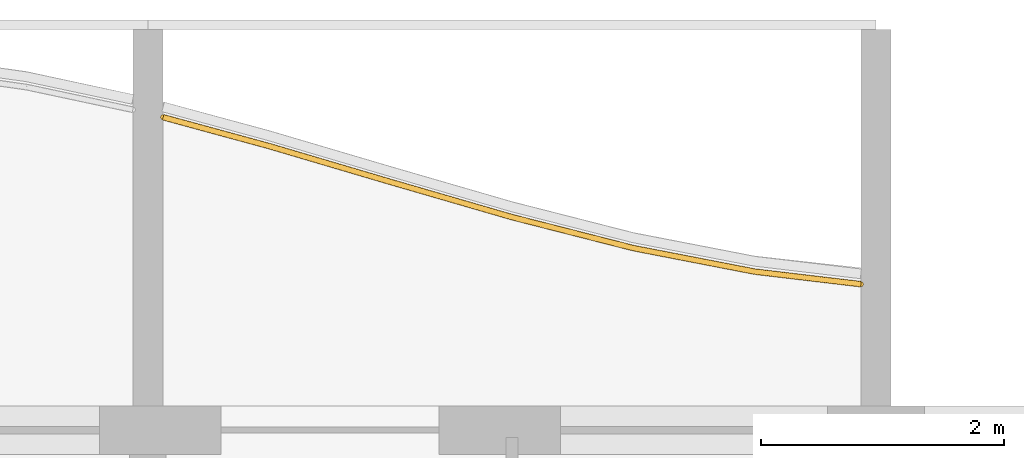
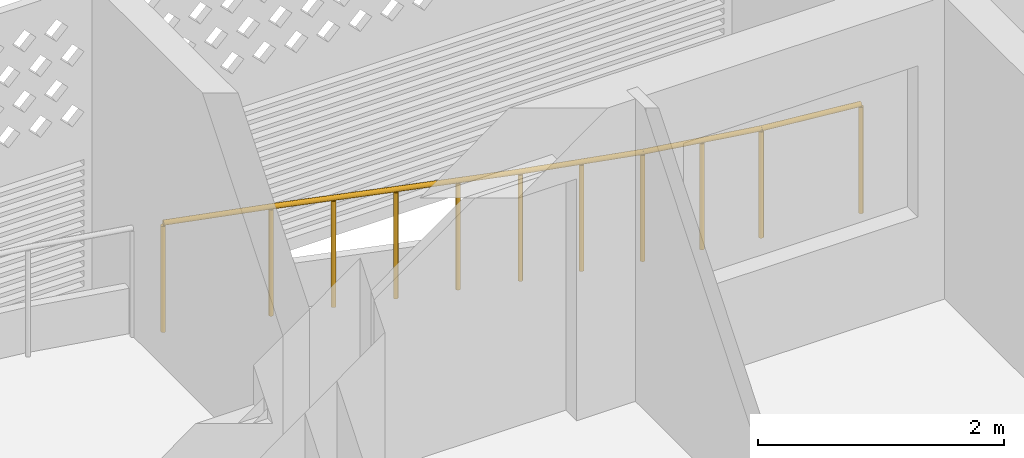
# One storey, part 25 of 32: 1 railing.
"""IFC4 building model written with IfcOpenShell, lengths in metres."""

from ifc_helpers import new_model, si_unit, direction, frame, origin, origin_2d, place, context, subcontext, project, spatial, circle, extrude, material, type_object, element, save


model = new_model("IFC4")

# Units and contexts
model_context = context("Model", 3, precision=1e-05, world=origin(), true_north=direction((0.0, 1.0)))
body_context = subcontext(model_context, "Body", "Model", "MODEL_VIEW")
ifc_project = project(units=[si_unit("LENGTHUNIT", "METRE"), si_unit("AREAUNIT", "SQUARE_METRE"), si_unit("VOLUMEUNIT", "CUBIC_METRE"), si_unit("PLANEANGLEUNIT", "RADIAN"), si_unit("MASSUNIT", "GRAM", prefix="KILO")], contexts=[model_context])

# Site, building, storey
site_placement = place(None, origin())
site = spatial("IfcSite", under=ifc_project, at=site_placement, CompositionType="ELEMENT")
building_placement = place(site_placement, origin())
building = spatial("IfcBuilding", under=site, at=building_placement, Name="Poui Terraces", CompositionType="ELEMENT")
storey_placement = place(building_placement, frame((0.0, 0.0, 155.39990234375)))
storey = spatial("IfcBuildingStorey", under=building, at=storey_placement, Name="L43", CompositionType="ELEMENT", Elevation=155.39990234375)

# Railing
ifc_material = material(Name="Painted steel fretwork", Category="steel")
railing_type = type_object("IfcRailingType", Name="BALCONY GUARD 1100", PredefinedType="GUARDRAIL", material=ifc_material)
railing_placement = place(storey_placement, frame((48.125, 44.978759765625, 0.0)))
element("IfcRailing", 1, at=railing_placement, inside=storey, type_object=railing_type, Name="BALCONY GUARD", PredefinedType="GUARDRAIL", context=body_context, shape_type="SweptSolid", body=[
    extrude(circle(Radius=0.02392578125, at=origin_2d()), frame((0.0, 0.0, 1.076171875), z_axis=(0.964863154502, -0.26275291261, 0.0), x_axis=(0.26275291261, 0.964863154502, 0.0)), (0.0, 0.0, 1.0), 0.906982421875),
    extrude(circle(Radius=0.02392578125, at=origin_2d()), frame((0.875, -0.23828125, 1.076171875), z_axis=(0.959092870386, -0.283091621166, 0.0), x_axis=(0.283091621166, 0.959092870386, 0.0)), (0.0, 0.0, 1.0), 1.042724609375),
    extrude(circle(Radius=0.02392578125, at=origin_2d()), frame((1.875, -0.533447265625, 1.076171875), z_axis=(0.960481812677, -0.278342751867, 0.0), x_axis=(0.278342751867, 0.960481812677, 0.0)), (0.0, 0.0, 1.0), 1.041259765625),
    extrude(circle(Radius=0.02392578125, at=origin_2d()), frame((2.875, -0.8232421875, 1.076171875), z_axis=(0.968962333186, -0.247208407759, 0.0), x_axis=(0.247208407759, 0.968962333186, 0.0)), (0.0, 0.0, 1.0), 1.031982421875),
    extrude(circle(Radius=0.02392578125, at=origin_2d()), frame((3.875, -1.078369140625, 1.076171875), z_axis=(0.981724998512, -0.190305090044, 0.0), x_axis=(0.190305090044, 0.981724998512, 0.0)), (0.0, 0.0, 1.0), 1.0185546875),
    extrude(circle(Radius=0.02392578125, at=origin_2d()), frame((4.875, -1.272216796875, 1.076171875), z_axis=(0.993074741363, -0.117484288599, 0.0), x_axis=(0.117484288599, 0.993074741363, 0.0)), (0.0, 0.0, 1.0), 0.881103515625),
    extrude(circle(Radius=0.02099609375, at=origin_2d()), origin(), (0.0, 0.0, 1.0), 1.052001953125),
    extrude(circle(Radius=0.02099609375, at=origin_2d()), frame((0.875, -0.23828125, 0.0)), (0.0, 0.0, 1.0), 1.052001953125),
    extrude(circle(Radius=0.02099609375, at=origin_2d()), frame((1.375, -0.3857421875, 0.0)), (0.0, 0.0, 1.0), 1.052001953125),
    extrude(circle(Radius=0.02099609375, at=origin_2d()), frame((1.875, -0.533447265625, 0.0)), (0.0, 0.0, 1.0), 1.052001953125),
    extrude(circle(Radius=0.02099609375, at=origin_2d()), frame((2.375, -0.67822265625, 0.0)), (0.0, 0.0, 1.0), 1.052001953125),
    extrude(circle(Radius=0.02099609375, at=origin_2d()), frame((2.875, -0.8232421875, 0.0)), (0.0, 0.0, 1.0), 1.052001953125),
    extrude(circle(Radius=0.02099609375, at=origin_2d()), frame((3.375, -0.95068359375, 0.0)), (0.0, 0.0, 1.0), 1.052001953125),
    extrude(circle(Radius=0.02099609375, at=origin_2d()), frame((3.875, -1.078369140625, 0.0)), (0.0, 0.0, 1.0), 1.052001953125),
    extrude(circle(Radius=0.02099609375, at=origin_2d()), frame((4.375, -1.17529296875, 0.0)), (0.0, 0.0, 1.0), 1.052001953125),
    extrude(circle(Radius=0.02099609375, at=origin_2d()), frame((4.875, -1.272216796875, 0.0)), (0.0, 0.0, 1.0), 1.052001953125),
    extrude(circle(Radius=0.02099609375, at=origin_2d()), frame((5.75, -1.375732421875, 0.0)), (0.0, 0.0, 1.0), 1.052001953125),
])

save(model, "model.ifc")
